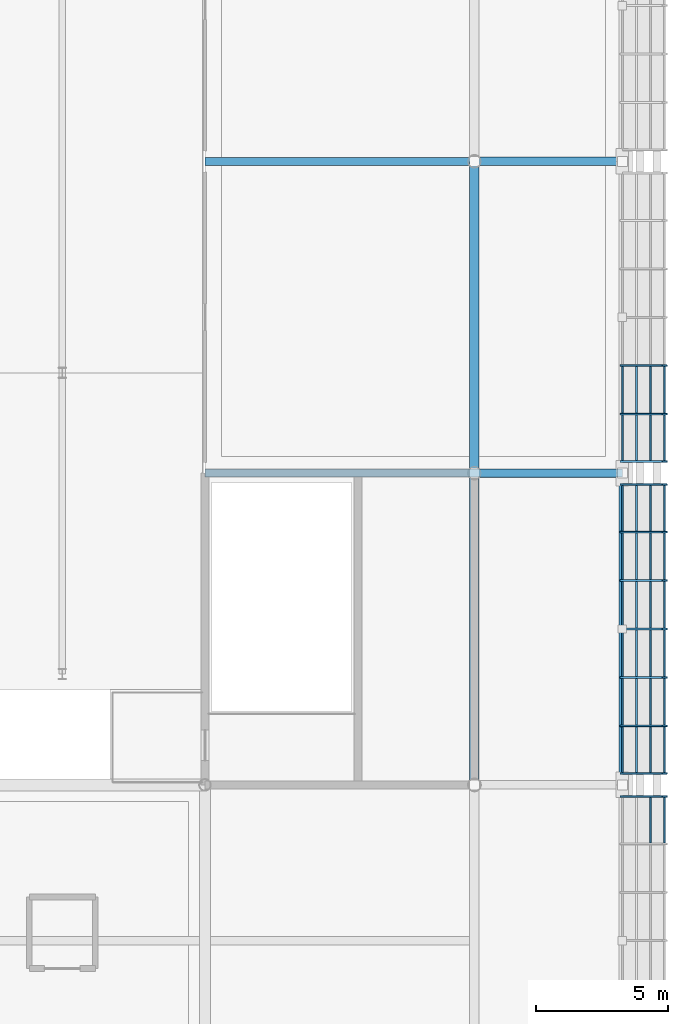
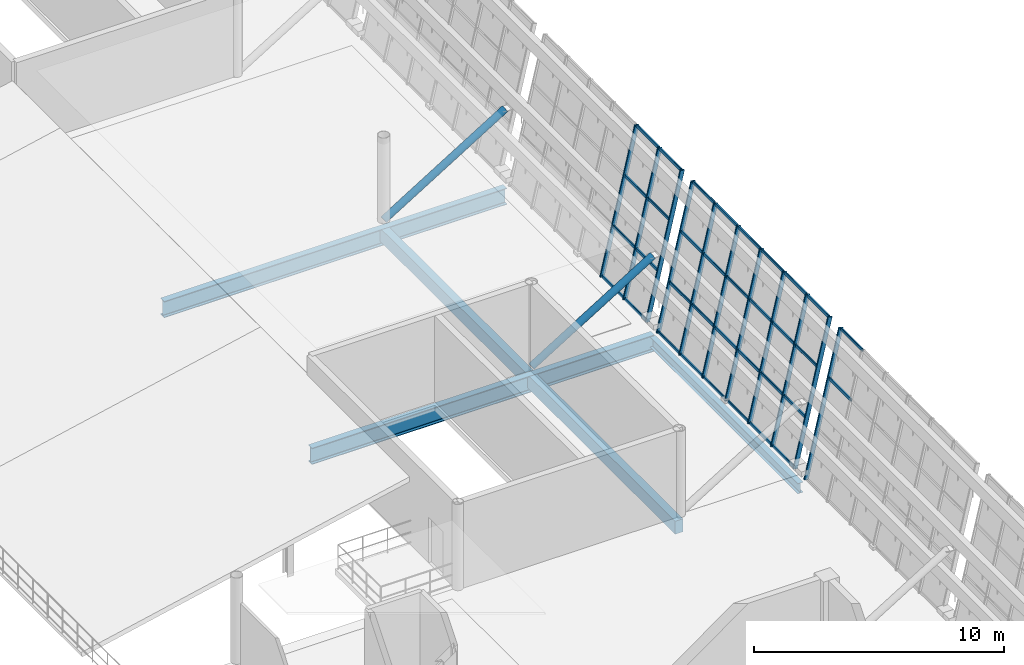
# One storey, part 67 of 157: 47 members, 5 beams, 3 elements without a shape of their own.
"""IFC4 building model written with IfcOpenShell, lengths in metres."""

import ifcopenshell
import ifcopenshell.guid

model = None  # the IFC model being written
_history = None  # IfcOwnerHistory: only IFC2X3 demands one
_inside = {}  # id of a spatial element -> (the spatial element, [elements in it])
_under = {}  # id of a project, library or spatial element -> (it, [spatial elements below it])
_declared = {}  # id of a project -> (the project, [libraries it declares])
_typed = {}  # id of a type object -> (the type object, [elements of that type])
_made_of = {}  # id of a material, layer set ... -> (it, [elements and type objects made of it])


def new_model(schema):
    """Start an empty IFC model of exactly this schema.

    Asked for "IFC4X3", IfcOpenShell would pick the latest addendum, in which some entities
    have other attributes; the version numbers below select the first issue.
    IFC2X3 requires an IfcOwnerHistory on every rooted entity: one is made here for all.
    """
    global model, _history
    if schema == "IFC4X3":
        model = ifcopenshell.file(schema_version=(4, 3, 0, 0))
    else:
        model = ifcopenshell.file(schema=schema)
    _inside.clear()
    _under.clear()
    _declared.clear()
    _typed.clear()
    _made_of.clear()
    _history = None
    if model.schema == "IFC2X3":
        org = make("IfcOrganization", Name="unknown")
        user = make(
            "IfcPersonAndOrganization",
            ThePerson=make("IfcPerson", FamilyName="unknown"),
            TheOrganization=org,
        )
        app = make(
            "IfcApplication",
            ApplicationDeveloper=org,
            Version="unknown",
            ApplicationFullName="unknown",
            ApplicationIdentifier="unknown",
        )
        _history = make(
            "IfcOwnerHistory",
            OwningUser=user,
            OwningApplication=app,
            ChangeAction="ADDED",
            CreationDate=0,
        )
    return model


def make(cls, **values):
    """One entity of the class cls with the attributes given. An attribute that is None is left unset."""
    return model.create_entity(
        cls, **{name: value for name, value in values.items() if value is not None}
    )


def rooted(cls, **values):
    """An entity with a GlobalId (a new one), such as an element, a storey or a relation."""
    return make(cls, GlobalId=ifcopenshell.guid.new(), OwnerHistory=_history, **values)


def si_unit(unit_type, name, prefix=None):
    """IfcSIUnit, for example si_unit("LENGTHUNIT", "METRE", prefix="MILLI")."""
    return make("IfcSIUnit", UnitType=unit_type, Prefix=prefix, Name=name)


def assignment(units):
    """IfcUnitAssignment: the units of a project."""
    return None if units is None else make("IfcUnitAssignment", Units=units)


def point(xyz):
    """IfcCartesianPoint."""
    return None if xyz is None else make("IfcCartesianPoint", Coordinates=xyz)


def direction(xyz):
    """IfcDirection."""
    return None if xyz is None else make("IfcDirection", DirectionRatios=xyz)


def frame(location, z_axis=None, x_axis=None):
    """IfcAxis2Placement3D, a coordinate frame: its origin and axes. An axis left out is left unset."""
    return make(
        "IfcAxis2Placement3D",
        Location=point(location),
        Axis=direction(z_axis),
        RefDirection=direction(x_axis),
    )


def frame_2d(location, x_axis=None):
    """IfcAxis2Placement2D, a coordinate frame in the plane: its origin and x axis."""
    return make(
        "IfcAxis2Placement2D", Location=point(location), RefDirection=direction(x_axis)
    )


def origin():
    """The frame at (0, 0, 0) with its axes left unset."""
    return frame((0.0, 0.0, 0.0))


def origin_2d():
    """The frame at (0, 0) in the plane with its x axis left unset."""
    return frame_2d((0.0, 0.0))


def place(relative_to, where):
    """IfcLocalPlacement: puts the frame where relative to a parent placement (None: the world)."""
    return make(
        "IfcLocalPlacement", PlacementRelTo=relative_to, RelativePlacement=where
    )


def context(
    kind, dimensions, precision=None, world=None, true_north=None, identifier=None
):
    """IfcGeometricRepresentationContext, for example the 3D "Model" context."""
    return make(
        "IfcGeometricRepresentationContext",
        ContextIdentifier=identifier,
        ContextType=kind,
        CoordinateSpaceDimension=dimensions,
        Precision=precision,
        WorldCoordinateSystem=world,
        TrueNorth=true_north,
    )


def subcontext(parent, identifier, kind, view, scale=None):
    """IfcGeometricRepresentationSubContext, for example "Body" below "Model"."""
    return make(
        "IfcGeometricRepresentationSubContext",
        ContextIdentifier=identifier,
        ContextType=kind,
        ParentContext=parent,
        TargetScale=scale,
        TargetView=view,
    )


def project(units=None, contexts=None):
    """IfcProject with its units and contexts."""
    return rooted(
        "IfcProject",
        Name="project",
        RepresentationContexts=contexts,
        UnitsInContext=assignment(units),
    )


def spatial(cls, under=None, at=None, **own):
    """A site, building, storey or space (cls), placed at a placement, below another one or the project."""
    s = rooted(cls, ObjectPlacement=at, **own)
    if under is not None:
        _under.setdefault(under.id(), (under, []))[1].append(s)
    return s


def profile(cls, at=None, kind="AREA", **sizes):
    """A parametric profile (cls). Its sizes go by their IFC names, for example OverallWidth=200.0."""
    return make(cls, ProfileType=kind, Position=at, **sizes)


def rectangle(**sizes):
    """IfcRectangleProfileDef."""
    return profile("IfcRectangleProfileDef", **sizes)


def hollow_rectangle(**sizes):
    """IfcRectangleHollowProfileDef."""
    return profile("IfcRectangleHollowProfileDef", **sizes)


def hollow_circle(**sizes):
    """IfcCircleHollowProfileDef."""
    return profile("IfcCircleHollowProfileDef", **sizes)


def i_section(**sizes):
    """IfcIShapeProfileDef."""
    return profile("IfcIShapeProfileDef", **sizes)


def extrude(swept, where, along, depth):
    """IfcExtrudedAreaSolid: the profile swept, set in the frame where, extruded along a direction by depth."""
    return make(
        "IfcExtrudedAreaSolid",
        SweptArea=swept,
        Position=where,
        ExtrudedDirection=direction(along),
        Depth=depth,
    )


def shape(context_of_items, identifier, shape_type, items):
    """IfcShapeRepresentation: the items that make up one representation, for example the "Body"."""
    return make(
        "IfcShapeRepresentation",
        ContextOfItems=context_of_items,
        RepresentationIdentifier=identifier,
        RepresentationType=shape_type,
        Items=items,
    )


def material(Name=None, Category=None):
    """IfcMaterial."""
    return make("IfcMaterial", Name=Name, Category=Category)


def material_profile(
    of_material, cross_section, Name=None, Category=None, Priority=None
):
    """IfcMaterialProfile: a cross section and its material."""
    return make(
        "IfcMaterialProfile",
        Name=Name,
        Material=of_material,
        Profile=cross_section,
        Priority=Priority,
        Category=Category,
    )


def profile_set(profiles, Name=None, composite=None):
    """IfcMaterialProfileSet."""
    return make(
        "IfcMaterialProfileSet",
        Name=Name,
        MaterialProfiles=profiles,
        CompositeProfile=composite,
    )


def made_of(thing, what):
    """Note that an element or type object is made of a material, layer set ...; save() writes the relation."""
    if what is not None:
        _made_of.setdefault(what.id(), (what, []))[1].append(thing)
    return thing


def type_object(cls, material=None, **own):
    """A type object (cls), such as IfcWallType, which elements share."""
    return made_of(rooted(cls, **own), material)


def element(
    cls,
    number,
    at=None,
    inside=None,
    cuts=None,
    type_object=None,
    material=None,
    context=None,
    identifier="Body",
    shape_type=None,
    held_by="IfcProductDefinitionShape",
    body=None,
    shapes=None,
    **own,
):
    """One element of the class cls, such as IfcWall. Its Tag is "e" and its number.

    at: its placement. inside: the storey or other place that contains it. cuts: it is an
    opening in that element (IfcRelVoidsElement). A single representation is given by context,
    identifier, shape_type and body (its items); several are given by shapes. held_by: the class
    of the entity that holds the representations. save() writes the other relations.
    """
    e = rooted(cls, Tag="e%d" % number, ObjectPlacement=at, **own)
    if body is not None:
        shapes = [shape(context, identifier, shape_type, body)]
    if shapes is not None:
        e.Representation = make(held_by, Representations=shapes)
    if inside is not None:
        _inside.setdefault(inside.id(), (inside, []))[1].append(e)
    if cuts is not None:
        rooted(
            "IfcRelVoidsElement", RelatingBuildingElement=cuts, RelatedOpeningElement=e
        )
    if type_object is not None:
        _typed.setdefault(type_object.id(), (type_object, []))[1].append(e)
    return made_of(e, material)


def aggregate(whole, parts):
    """IfcRelAggregates: a whole, such as a stair, and the parts it consists of."""
    return rooted("IfcRelAggregates", RelatingObject=whole, RelatedObjects=parts)


def save(model, path):
    """Write the relations noted so far, then the file.

    IfcRelAggregates (storeys below a building ...), IfcRelContainedInSpatialStructure (elements
    in a storey), IfcRelDefinesByType, IfcRelAssociatesMaterial and IfcRelDeclares: one each for
    every whole, place, type object, material and project.
    """
    for whole, parts in _under.values():
        aggregate(whole, parts)
    for where, things in _inside.values():
        rooted(
            "IfcRelContainedInSpatialStructure",
            RelatedElements=things,
            RelatingStructure=where,
        )
    for kind, things in _typed.values():
        rooted("IfcRelDefinesByType", RelatedObjects=things, RelatingType=kind)
    for what, things in _made_of.values():
        rooted("IfcRelAssociatesMaterial", RelatedObjects=things, RelatingMaterial=what)
    for by, libraries in _declared.values():
        rooted("IfcRelDeclares", RelatingContext=by, RelatedDefinitions=libraries)
    model.write(path)


model = new_model("IFC4")

# Units and contexts
model_context = context("Model", 3, precision=1e-05, world=origin(), true_north=direction((0.0, 1.0)))
body_context = subcontext(model_context, "Body", "Model", "MODEL_VIEW")
ifc_project = project(units=[si_unit("LENGTHUNIT", "METRE"), si_unit("AREAUNIT", "SQUARE_METRE"), si_unit("VOLUMEUNIT", "CUBIC_METRE"), si_unit("PLANEANGLEUNIT", "RADIAN"), si_unit("MASSUNIT", "GRAM", prefix="KILO")], contexts=[model_context])

# Site, building, storey
site_placement = place(None, origin())
site = spatial("IfcSite", under=ifc_project, at=site_placement, CompositionType="ELEMENT")
building_placement = place(site_placement, origin())
building = spatial("IfcBuilding", under=site, at=building_placement, Name="Brelvane Convention Centre", CompositionType="ELEMENT")
storey_placement = place(building_placement, frame((0.0, 0.0, 10.800048828125)))
storey = spatial("IfcBuildingStorey", under=building, at=storey_placement, Name="L02", CompositionType="ELEMENT", Elevation=10.800048828125)

# Curtain wall, member
ifc_material_1 = material(Name="Anodised Aluminium Alloy 6063-T6", Category="aluminium")
curtain_wall_type = type_object("IfcCurtainWallType", Name="Curtain Wall CW-PLEN-E", PredefinedType="USERDEFINED", material=ifc_material_1)
curtain_wall_1_placement = place(storey_placement, origin())
curtain_wall_1 = element("IfcCurtainWall", 1, at=curtain_wall_1_placement, inside=storey, type_object=curtain_wall_type, Name="Curtain Wall CW-PLEN-E L02-HULL-E-L02-2", ObjectType="UNITISED", PredefinedType="USERDEFINED")
ifc_material_2 = material(Name="Anodised Aluminium Alloy 6063-T6", Category="aluminium")
ifc_material_profile_1 = material_profile(ifc_material_2, hollow_rectangle(XDim=0.074951171875, YDim=0.199951171875, WallThickness=0.0048828125, InnerFilletRadius=0.0048828125, OuterFilletRadius=0.010009765625, at=origin_2d()), Name="ALU-M 200x75x5.0")
ifc_profile_set_1 = profile_set([ifc_material_profile_1], Name="Anodised Aluminium Alloy 6063-T6")
member_type_1 = type_object("IfcMemberType", Name="Curtain Mullion CW-M2", PredefinedType="MULLION", material=ifc_profile_set_1)
member_1_placement = place(storey_placement, frame((230.0, 40.16259765625, 0.0), z_axis=(0.228360410362, 0.0, 0.973576665178), x_axis=(0.0, 1.0, 0.0)))
member_1 = element("IfcMember", 2, at=member_1_placement, type_object=member_type_1, Name="CW-PLEN-E mullion 7", PredefinedType="MULLION", context=body_context, shape_type="SweptSolid", body=[
    extrude(hollow_rectangle(XDim=0.074951171875, YDim=0.199951171875, WallThickness=0.0048828125, InnerFilletRadius=0.0048828125, OuterFilletRadius=0.010009765625, at=origin_2d()), origin(), (0.0, 0.0, 1.0), 7.03564453125),
])

# Curtain wall, members
curtain_wall_2_placement = place(storey_placement, origin())
curtain_wall_2 = element("IfcCurtainWall", 3, at=curtain_wall_2_placement, inside=storey, type_object=curtain_wall_type, Name="Curtain Wall CW-PLEN-E L02-HULL-E-L02-3", ObjectType="UNITISED", PredefinedType="USERDEFINED")
member_2_placement = place(storey_placement, frame((230.0, 41.03759765625, 0.0), z_axis=(0.228360410362, 0.0, 0.973576665178), x_axis=(0.0, 1.0, 0.0)))
member_2 = element("IfcMember", 4, at=member_2_placement, type_object=member_type_1, Name="CW-PLEN-E mullion 1", PredefinedType="MULLION", context=body_context, shape_type="SweptSolid", body=[
    extrude(hollow_rectangle(XDim=0.074951171875, YDim=0.199951171875, WallThickness=0.0048828125, InnerFilletRadius=0.0048828125, OuterFilletRadius=0.010009765625, at=origin_2d()), origin(), (0.0, 0.0, 1.0), 7.03564453125),
])
member_3_placement = place(storey_placement, frame((230.0, 42.833251953125, 0.0), z_axis=(0.228360410362, 0.0, 0.973576665178), x_axis=(0.0, 1.0, 0.0)))
member_3 = element("IfcMember", 5, at=member_3_placement, type_object=member_type_1, Name="CW-PLEN-E mullion 2", PredefinedType="MULLION", context=body_context, shape_type="SweptSolid", body=[
    extrude(hollow_rectangle(XDim=0.074951171875, YDim=0.199951171875, WallThickness=0.0048828125, InnerFilletRadius=0.0048828125, OuterFilletRadius=0.010009765625, at=origin_2d()), origin(), (0.0, 0.0, 1.0), 7.03564453125),
])
member_4_placement = place(storey_placement, frame((230.0, 44.666748046875, 0.0), z_axis=(0.228360410362, 0.0, 0.973576665178), x_axis=(0.0, 1.0, 0.0)))
member_4 = element("IfcMember", 6, at=member_4_placement, type_object=member_type_1, Name="CW-PLEN-E mullion 3", PredefinedType="MULLION", context=body_context, shape_type="SweptSolid", body=[
    extrude(hollow_rectangle(XDim=0.074951171875, YDim=0.199951171875, WallThickness=0.0048828125, InnerFilletRadius=0.0048828125, OuterFilletRadius=0.010009765625, at=origin_2d()), origin(), (0.0, 0.0, 1.0), 7.03564453125),
])
member_5_placement = place(storey_placement, frame((230.0, 46.5, 0.0), z_axis=(0.228360410362, 0.0, 0.973576665178), x_axis=(0.0, 1.0, 0.0)))
member_5 = element("IfcMember", 7, at=member_5_placement, type_object=member_type_1, Name="CW-PLEN-E mullion 4", PredefinedType="MULLION", context=body_context, shape_type="SweptSolid", body=[
    extrude(hollow_rectangle(XDim=0.074951171875, YDim=0.199951171875, WallThickness=0.0048828125, InnerFilletRadius=0.0048828125, OuterFilletRadius=0.010009765625, at=origin_2d()), origin(), (0.0, 0.0, 1.0), 7.03564453125),
])
member_6_placement = place(storey_placement, frame((230.0, 48.333251953125, 0.0), z_axis=(0.228360410362, 0.0, 0.973576665178), x_axis=(0.0, 1.0, 0.0)))
member_6 = element("IfcMember", 8, at=member_6_placement, type_object=member_type_1, Name="CW-PLEN-E mullion 5", PredefinedType="MULLION", context=body_context, shape_type="SweptSolid", body=[
    extrude(hollow_rectangle(XDim=0.074951171875, YDim=0.199951171875, WallThickness=0.0048828125, InnerFilletRadius=0.0048828125, OuterFilletRadius=0.010009765625, at=origin_2d()), origin(), (0.0, 0.0, 1.0), 7.03564453125),
])
member_7_placement = place(storey_placement, frame((230.0, 50.166748046875, 0.0), z_axis=(0.228360410362, 0.0, 0.973576665178), x_axis=(0.0, 1.0, 0.0)))
member_7 = element("IfcMember", 9, at=member_7_placement, type_object=member_type_1, Name="CW-PLEN-E mullion 6", PredefinedType="MULLION", context=body_context, shape_type="SweptSolid", body=[
    extrude(hollow_rectangle(XDim=0.074951171875, YDim=0.199951171875, WallThickness=0.0048828125, InnerFilletRadius=0.0048828125, OuterFilletRadius=0.010009765625, at=origin_2d()), origin(), (0.0, 0.0, 1.0), 7.03564453125),
])
member_8_placement = place(storey_placement, frame((230.0, 51.96240234375, 0.0), z_axis=(0.228360410362, 0.0, 0.973576665178), x_axis=(0.0, 1.0, 0.0)))
member_8 = element("IfcMember", 10, at=member_8_placement, type_object=member_type_1, Name="CW-PLEN-E mullion 7", PredefinedType="MULLION", context=body_context, shape_type="SweptSolid", body=[
    extrude(hollow_rectangle(XDim=0.074951171875, YDim=0.199951171875, WallThickness=0.0048828125, InnerFilletRadius=0.0048828125, OuterFilletRadius=0.010009765625, at=origin_2d()), origin(), (0.0, 0.0, 1.0), 7.03564453125),
])

curtain_wall_3_placement = place(storey_placement, origin())
curtain_wall_3 = element("IfcCurtainWall", 11, at=curtain_wall_3_placement, inside=storey, type_object=curtain_wall_type, Name="Curtain Wall CW-PLEN-E L02-HULL-E-L02-4", ObjectType="UNITISED", PredefinedType="USERDEFINED")
member_9_placement = place(storey_placement, frame((230.0, 52.83740234375, 0.0), z_axis=(0.228360410362, 0.0, 0.973576665178), x_axis=(0.0, 1.0, 0.0)))
member_9 = element("IfcMember", 12, at=member_9_placement, type_object=member_type_1, Name="CW-PLEN-E mullion 1", PredefinedType="MULLION", context=body_context, shape_type="SweptSolid", body=[
    extrude(hollow_rectangle(XDim=0.074951171875, YDim=0.199951171875, WallThickness=0.0048828125, InnerFilletRadius=0.0048828125, OuterFilletRadius=0.010009765625, at=origin_2d()), origin(), (0.0, 0.0, 1.0), 7.03564453125),
])
member_10_placement = place(storey_placement, frame((230.0, 54.63330078125, 0.0), z_axis=(0.228360410362, 0.0, 0.973576665178), x_axis=(0.0, 1.0, 0.0)))
member_10 = element("IfcMember", 13, at=member_10_placement, type_object=member_type_1, Name="CW-PLEN-E mullion 2", PredefinedType="MULLION", context=body_context, shape_type="SweptSolid", body=[
    extrude(hollow_rectangle(XDim=0.074951171875, YDim=0.199951171875, WallThickness=0.0048828125, InnerFilletRadius=0.0048828125, OuterFilletRadius=0.010009765625, at=origin_2d()), origin(), (0.0, 0.0, 1.0), 7.03564453125),
])
member_11_placement = place(storey_placement, frame((230.0, 56.466552734375, 0.0), z_axis=(0.228360410362, 0.0, 0.973576665178), x_axis=(0.0, 1.0, 0.0)))
member_11 = element("IfcMember", 14, at=member_11_placement, type_object=member_type_1, Name="CW-PLEN-E mullion 3", PredefinedType="MULLION", context=body_context, shape_type="SweptSolid", body=[
    extrude(hollow_rectangle(XDim=0.074951171875, YDim=0.199951171875, WallThickness=0.0048828125, InnerFilletRadius=0.0048828125, OuterFilletRadius=0.010009765625, at=origin_2d()), origin(), (0.0, 0.0, 1.0), 7.03564453125),
])

# Member
ifc_material_3 = material(Name="Anodised Aluminium Alloy 6063-T6", Category="aluminium")
ifc_material_profile_2 = material_profile(ifc_material_3, hollow_rectangle(XDim=0.070068359375, YDim=0.14990234375, WallThickness=0.00439453125, InnerFilletRadius=0.00439453125, OuterFilletRadius=0.009033203125, at=origin_2d()), Name="ALU-T 150x70x4.5")
ifc_profile_set_2 = profile_set([ifc_material_profile_2], Name="Anodised Aluminium Alloy 6063-T6")
member_type_2 = type_object("IfcMemberType", Name="Curtain Transom CW-T2", PredefinedType="USERDEFINED", material=ifc_profile_set_2)
member_12_placement = place(storey_placement, frame((231.071044921875, 38.404052734375, 4.566650390625), z_axis=(0.0, 1.0, 0.0), x_axis=(-1.0, 0.0, 0.0)))
member_12 = element("IfcMember", 15, at=member_12_placement, type_object=member_type_2, Name="CW-PLEN-E transom 6.3", ObjectType="TRANSOM", PredefinedType="USERDEFINED", context=body_context, shape_type="SweptSolid", body=[
    extrude(hollow_rectangle(XDim=0.070068359375, YDim=0.14990234375, WallThickness=0.00439453125, InnerFilletRadius=0.00439453125, OuterFilletRadius=0.009033203125, at=origin_2d()), origin(), (0.0, 0.0, 1.0), 1.720947265625),
])

member_13_placement = place(storey_placement, frame((231.598388671875, 38.404052734375, 6.81494140625), z_axis=(0.0, 1.0, 0.0), x_axis=(-1.0, 0.0, 0.0)))
member_13 = element("IfcMember", 16, at=member_13_placement, type_object=member_type_2, Name="CW-PLEN-E transom 6.4", ObjectType="TRANSOM", PredefinedType="USERDEFINED", context=body_context, shape_type="SweptSolid", body=[
    extrude(hollow_rectangle(XDim=0.070068359375, YDim=0.14990234375, WallThickness=0.00439453125, InnerFilletRadius=0.00439453125, OuterFilletRadius=0.009033203125, at=origin_2d()), origin(), (0.0, 0.0, 1.0), 1.720947265625),
])

aggregate(curtain_wall_1, [member_1, member_12, member_13])

member_14_placement = place(storey_placement, frame((230.00830078125, 41.074951171875, 0.034912109375), z_axis=(0.0, 1.0, 0.0), x_axis=(-1.0, 0.0, 0.0)))
member_14 = element("IfcMember", 17, at=member_14_placement, type_object=member_type_2, Name="CW-PLEN-E transom 1.1", ObjectType="TRANSOM", PredefinedType="USERDEFINED", context=body_context, shape_type="SweptSolid", body=[
    extrude(hollow_rectangle(XDim=0.070068359375, YDim=0.14990234375, WallThickness=0.00439453125, InnerFilletRadius=0.00439453125, OuterFilletRadius=0.009033203125, at=origin_2d()), origin(), (0.0, 0.0, 1.0), 1.720947265625),
])

member_15_placement = place(storey_placement, frame((230.53564453125, 41.074951171875, 2.283203125), z_axis=(0.0, 1.0, 0.0), x_axis=(-1.0, 0.0, 0.0)))
member_15 = element("IfcMember", 18, at=member_15_placement, type_object=member_type_2, Name="CW-PLEN-E transom 1.2", ObjectType="TRANSOM", PredefinedType="USERDEFINED", context=body_context, shape_type="SweptSolid", body=[
    extrude(hollow_rectangle(XDim=0.070068359375, YDim=0.14990234375, WallThickness=0.00439453125, InnerFilletRadius=0.00439453125, OuterFilletRadius=0.009033203125, at=origin_2d()), origin(), (0.0, 0.0, 1.0), 1.720947265625),
])

member_16_placement = place(storey_placement, frame((231.071044921875, 41.074951171875, 4.566650390625), z_axis=(0.0, 1.0, 0.0), x_axis=(-1.0, 0.0, 0.0)))
member_16 = element("IfcMember", 19, at=member_16_placement, type_object=member_type_2, Name="CW-PLEN-E transom 1.3", ObjectType="TRANSOM", PredefinedType="USERDEFINED", context=body_context, shape_type="SweptSolid", body=[
    extrude(hollow_rectangle(XDim=0.070068359375, YDim=0.14990234375, WallThickness=0.00439453125, InnerFilletRadius=0.00439453125, OuterFilletRadius=0.009033203125, at=origin_2d()), origin(), (0.0, 0.0, 1.0), 1.720947265625),
])

member_17_placement = place(storey_placement, frame((231.598388671875, 41.074951171875, 6.81494140625), z_axis=(0.0, 1.0, 0.0), x_axis=(-1.0, 0.0, 0.0)))
member_17 = element("IfcMember", 20, at=member_17_placement, type_object=member_type_2, Name="CW-PLEN-E transom 1.4", ObjectType="TRANSOM", PredefinedType="USERDEFINED", context=body_context, shape_type="SweptSolid", body=[
    extrude(hollow_rectangle(XDim=0.070068359375, YDim=0.14990234375, WallThickness=0.00439453125, InnerFilletRadius=0.00439453125, OuterFilletRadius=0.009033203125, at=origin_2d()), origin(), (0.0, 0.0, 1.0), 1.720947265625),
])

member_18_placement = place(storey_placement, frame((230.00830078125, 42.870849609375, 0.034912109375), z_axis=(0.0, 1.0, 0.0), x_axis=(-1.0, 0.0, 0.0)))
member_18 = element("IfcMember", 21, at=member_18_placement, type_object=member_type_2, Name="CW-PLEN-E transom 2.1", ObjectType="TRANSOM", PredefinedType="USERDEFINED", context=body_context, shape_type="SweptSolid", body=[
    extrude(hollow_rectangle(XDim=0.070068359375, YDim=0.14990234375, WallThickness=0.00439453125, InnerFilletRadius=0.00439453125, OuterFilletRadius=0.009033203125, at=origin_2d()), origin(), (0.0, 0.0, 1.0), 1.75830078125),
])

member_19_placement = place(storey_placement, frame((230.53564453125, 42.870849609375, 2.283203125), z_axis=(0.0, 1.0, 0.0), x_axis=(-1.0, 0.0, 0.0)))
member_19 = element("IfcMember", 22, at=member_19_placement, type_object=member_type_2, Name="CW-PLEN-E transom 2.2", ObjectType="TRANSOM", PredefinedType="USERDEFINED", context=body_context, shape_type="SweptSolid", body=[
    extrude(hollow_rectangle(XDim=0.070068359375, YDim=0.14990234375, WallThickness=0.00439453125, InnerFilletRadius=0.00439453125, OuterFilletRadius=0.009033203125, at=origin_2d()), origin(), (0.0, 0.0, 1.0), 1.75830078125),
])

member_20_placement = place(storey_placement, frame((231.071044921875, 42.870849609375, 4.566650390625), z_axis=(0.0, 1.0, 0.0), x_axis=(-1.0, 0.0, 0.0)))
member_20 = element("IfcMember", 23, at=member_20_placement, type_object=member_type_2, Name="CW-PLEN-E transom 2.3", ObjectType="TRANSOM", PredefinedType="USERDEFINED", context=body_context, shape_type="SweptSolid", body=[
    extrude(hollow_rectangle(XDim=0.070068359375, YDim=0.14990234375, WallThickness=0.00439453125, InnerFilletRadius=0.00439453125, OuterFilletRadius=0.009033203125, at=origin_2d()), origin(), (0.0, 0.0, 1.0), 1.75830078125),
])

member_21_placement = place(storey_placement, frame((231.598388671875, 42.870849609375, 6.81494140625), z_axis=(0.0, 1.0, 0.0), x_axis=(-1.0, 0.0, 0.0)))
member_21 = element("IfcMember", 24, at=member_21_placement, type_object=member_type_2, Name="CW-PLEN-E transom 2.4", ObjectType="TRANSOM", PredefinedType="USERDEFINED", context=body_context, shape_type="SweptSolid", body=[
    extrude(hollow_rectangle(XDim=0.070068359375, YDim=0.14990234375, WallThickness=0.00439453125, InnerFilletRadius=0.00439453125, OuterFilletRadius=0.009033203125, at=origin_2d()), origin(), (0.0, 0.0, 1.0), 1.75830078125),
])

member_22_placement = place(storey_placement, frame((230.00830078125, 44.7041015625, 0.034912109375), z_axis=(0.0, 1.0, 0.0), x_axis=(-1.0, 0.0, 0.0)))
member_22 = element("IfcMember", 25, at=member_22_placement, type_object=member_type_2, Name="CW-PLEN-E transom 3.1", ObjectType="TRANSOM", PredefinedType="USERDEFINED", context=body_context, shape_type="SweptSolid", body=[
    extrude(hollow_rectangle(XDim=0.070068359375, YDim=0.14990234375, WallThickness=0.00439453125, InnerFilletRadius=0.00439453125, OuterFilletRadius=0.009033203125, at=origin_2d()), origin(), (0.0, 0.0, 1.0), 1.75830078125),
])

member_23_placement = place(storey_placement, frame((230.53564453125, 44.7041015625, 2.283203125), z_axis=(0.0, 1.0, 0.0), x_axis=(-1.0, 0.0, 0.0)))
member_23 = element("IfcMember", 26, at=member_23_placement, type_object=member_type_2, Name="CW-PLEN-E transom 3.2", ObjectType="TRANSOM", PredefinedType="USERDEFINED", context=body_context, shape_type="SweptSolid", body=[
    extrude(hollow_rectangle(XDim=0.070068359375, YDim=0.14990234375, WallThickness=0.00439453125, InnerFilletRadius=0.00439453125, OuterFilletRadius=0.009033203125, at=origin_2d()), origin(), (0.0, 0.0, 1.0), 1.75830078125),
])

member_24_placement = place(storey_placement, frame((231.071044921875, 44.7041015625, 4.566650390625), z_axis=(0.0, 1.0, 0.0), x_axis=(-1.0, 0.0, 0.0)))
member_24 = element("IfcMember", 27, at=member_24_placement, type_object=member_type_2, Name="CW-PLEN-E transom 3.3", ObjectType="TRANSOM", PredefinedType="USERDEFINED", context=body_context, shape_type="SweptSolid", body=[
    extrude(hollow_rectangle(XDim=0.070068359375, YDim=0.14990234375, WallThickness=0.00439453125, InnerFilletRadius=0.00439453125, OuterFilletRadius=0.009033203125, at=origin_2d()), origin(), (0.0, 0.0, 1.0), 1.75830078125),
])

member_25_placement = place(storey_placement, frame((231.598388671875, 44.7041015625, 6.81494140625), z_axis=(0.0, 1.0, 0.0), x_axis=(-1.0, 0.0, 0.0)))
member_25 = element("IfcMember", 28, at=member_25_placement, type_object=member_type_2, Name="CW-PLEN-E transom 3.4", ObjectType="TRANSOM", PredefinedType="USERDEFINED", context=body_context, shape_type="SweptSolid", body=[
    extrude(hollow_rectangle(XDim=0.070068359375, YDim=0.14990234375, WallThickness=0.00439453125, InnerFilletRadius=0.00439453125, OuterFilletRadius=0.009033203125, at=origin_2d()), origin(), (0.0, 0.0, 1.0), 1.75830078125),
])

member_26_placement = place(storey_placement, frame((230.00830078125, 46.53759765625, 0.034912109375), z_axis=(0.0, 1.0, 0.0), x_axis=(-1.0, 0.0, 0.0)))
member_26 = element("IfcMember", 29, at=member_26_placement, type_object=member_type_2, Name="CW-PLEN-E transom 4.1", ObjectType="TRANSOM", PredefinedType="USERDEFINED", context=body_context, shape_type="SweptSolid", body=[
    extrude(hollow_rectangle(XDim=0.070068359375, YDim=0.14990234375, WallThickness=0.00439453125, InnerFilletRadius=0.00439453125, OuterFilletRadius=0.009033203125, at=origin_2d()), origin(), (0.0, 0.0, 1.0), 1.75830078125),
])

member_27_placement = place(storey_placement, frame((230.53564453125, 46.53759765625, 2.283203125), z_axis=(0.0, 1.0, 0.0), x_axis=(-1.0, 0.0, 0.0)))
member_27 = element("IfcMember", 30, at=member_27_placement, type_object=member_type_2, Name="CW-PLEN-E transom 4.2", ObjectType="TRANSOM", PredefinedType="USERDEFINED", context=body_context, shape_type="SweptSolid", body=[
    extrude(hollow_rectangle(XDim=0.070068359375, YDim=0.14990234375, WallThickness=0.00439453125, InnerFilletRadius=0.00439453125, OuterFilletRadius=0.009033203125, at=origin_2d()), origin(), (0.0, 0.0, 1.0), 1.75830078125),
])

member_28_placement = place(storey_placement, frame((231.071044921875, 46.53759765625, 4.566650390625), z_axis=(0.0, 1.0, 0.0), x_axis=(-1.0, 0.0, 0.0)))
member_28 = element("IfcMember", 31, at=member_28_placement, type_object=member_type_2, Name="CW-PLEN-E transom 4.3", ObjectType="TRANSOM", PredefinedType="USERDEFINED", context=body_context, shape_type="SweptSolid", body=[
    extrude(hollow_rectangle(XDim=0.070068359375, YDim=0.14990234375, WallThickness=0.00439453125, InnerFilletRadius=0.00439453125, OuterFilletRadius=0.009033203125, at=origin_2d()), origin(), (0.0, 0.0, 1.0), 1.75830078125),
])

member_29_placement = place(storey_placement, frame((231.598388671875, 46.53759765625, 6.81494140625), z_axis=(0.0, 1.0, 0.0), x_axis=(-1.0, 0.0, 0.0)))
member_29 = element("IfcMember", 32, at=member_29_placement, type_object=member_type_2, Name="CW-PLEN-E transom 4.4", ObjectType="TRANSOM", PredefinedType="USERDEFINED", context=body_context, shape_type="SweptSolid", body=[
    extrude(hollow_rectangle(XDim=0.070068359375, YDim=0.14990234375, WallThickness=0.00439453125, InnerFilletRadius=0.00439453125, OuterFilletRadius=0.009033203125, at=origin_2d()), origin(), (0.0, 0.0, 1.0), 1.75830078125),
])

member_30_placement = place(storey_placement, frame((230.00830078125, 48.370849609375, 0.034912109375), z_axis=(0.0, 1.0, 0.0), x_axis=(-1.0, 0.0, 0.0)))
member_30 = element("IfcMember", 33, at=member_30_placement, type_object=member_type_2, Name="CW-PLEN-E transom 5.1", ObjectType="TRANSOM", PredefinedType="USERDEFINED", context=body_context, shape_type="SweptSolid", body=[
    extrude(hollow_rectangle(XDim=0.070068359375, YDim=0.14990234375, WallThickness=0.00439453125, InnerFilletRadius=0.00439453125, OuterFilletRadius=0.009033203125, at=origin_2d()), origin(), (0.0, 0.0, 1.0), 1.75830078125),
])

member_31_placement = place(storey_placement, frame((230.53564453125, 48.370849609375, 2.283203125), z_axis=(0.0, 1.0, 0.0), x_axis=(-1.0, 0.0, 0.0)))
member_31 = element("IfcMember", 34, at=member_31_placement, type_object=member_type_2, Name="CW-PLEN-E transom 5.2", ObjectType="TRANSOM", PredefinedType="USERDEFINED", context=body_context, shape_type="SweptSolid", body=[
    extrude(hollow_rectangle(XDim=0.070068359375, YDim=0.14990234375, WallThickness=0.00439453125, InnerFilletRadius=0.00439453125, OuterFilletRadius=0.009033203125, at=origin_2d()), origin(), (0.0, 0.0, 1.0), 1.75830078125),
])

member_32_placement = place(storey_placement, frame((231.071044921875, 48.370849609375, 4.566650390625), z_axis=(0.0, 1.0, 0.0), x_axis=(-1.0, 0.0, 0.0)))
member_32 = element("IfcMember", 35, at=member_32_placement, type_object=member_type_2, Name="CW-PLEN-E transom 5.3", ObjectType="TRANSOM", PredefinedType="USERDEFINED", context=body_context, shape_type="SweptSolid", body=[
    extrude(hollow_rectangle(XDim=0.070068359375, YDim=0.14990234375, WallThickness=0.00439453125, InnerFilletRadius=0.00439453125, OuterFilletRadius=0.009033203125, at=origin_2d()), origin(), (0.0, 0.0, 1.0), 1.75830078125),
])

member_33_placement = place(storey_placement, frame((231.598388671875, 48.370849609375, 6.81494140625), z_axis=(0.0, 1.0, 0.0), x_axis=(-1.0, 0.0, 0.0)))
member_33 = element("IfcMember", 36, at=member_33_placement, type_object=member_type_2, Name="CW-PLEN-E transom 5.4", ObjectType="TRANSOM", PredefinedType="USERDEFINED", context=body_context, shape_type="SweptSolid", body=[
    extrude(hollow_rectangle(XDim=0.070068359375, YDim=0.14990234375, WallThickness=0.00439453125, InnerFilletRadius=0.00439453125, OuterFilletRadius=0.009033203125, at=origin_2d()), origin(), (0.0, 0.0, 1.0), 1.75830078125),
])

member_34_placement = place(storey_placement, frame((230.00830078125, 50.2041015625, 0.034912109375), z_axis=(0.0, 1.0, 0.0), x_axis=(-1.0, 0.0, 0.0)))
member_34 = element("IfcMember", 37, at=member_34_placement, type_object=member_type_2, Name="CW-PLEN-E transom 6.1", ObjectType="TRANSOM", PredefinedType="USERDEFINED", context=body_context, shape_type="SweptSolid", body=[
    extrude(hollow_rectangle(XDim=0.070068359375, YDim=0.14990234375, WallThickness=0.00439453125, InnerFilletRadius=0.00439453125, OuterFilletRadius=0.009033203125, at=origin_2d()), origin(), (0.0, 0.0, 1.0), 1.720947265625),
])

member_35_placement = place(storey_placement, frame((230.53564453125, 50.2041015625, 2.283203125), z_axis=(0.0, 1.0, 0.0), x_axis=(-1.0, 0.0, 0.0)))
member_35 = element("IfcMember", 38, at=member_35_placement, type_object=member_type_2, Name="CW-PLEN-E transom 6.2", ObjectType="TRANSOM", PredefinedType="USERDEFINED", context=body_context, shape_type="SweptSolid", body=[
    extrude(hollow_rectangle(XDim=0.070068359375, YDim=0.14990234375, WallThickness=0.00439453125, InnerFilletRadius=0.00439453125, OuterFilletRadius=0.009033203125, at=origin_2d()), origin(), (0.0, 0.0, 1.0), 1.720947265625),
])

member_36_placement = place(storey_placement, frame((231.071044921875, 50.2041015625, 4.566650390625), z_axis=(0.0, 1.0, 0.0), x_axis=(-1.0, 0.0, 0.0)))
member_36 = element("IfcMember", 39, at=member_36_placement, type_object=member_type_2, Name="CW-PLEN-E transom 6.3", ObjectType="TRANSOM", PredefinedType="USERDEFINED", context=body_context, shape_type="SweptSolid", body=[
    extrude(hollow_rectangle(XDim=0.070068359375, YDim=0.14990234375, WallThickness=0.00439453125, InnerFilletRadius=0.00439453125, OuterFilletRadius=0.009033203125, at=origin_2d()), origin(), (0.0, 0.0, 1.0), 1.720947265625),
])

member_37_placement = place(storey_placement, frame((231.598388671875, 50.2041015625, 6.81494140625), z_axis=(0.0, 1.0, 0.0), x_axis=(-1.0, 0.0, 0.0)))
member_37 = element("IfcMember", 40, at=member_37_placement, type_object=member_type_2, Name="CW-PLEN-E transom 6.4", ObjectType="TRANSOM", PredefinedType="USERDEFINED", context=body_context, shape_type="SweptSolid", body=[
    extrude(hollow_rectangle(XDim=0.070068359375, YDim=0.14990234375, WallThickness=0.00439453125, InnerFilletRadius=0.00439453125, OuterFilletRadius=0.009033203125, at=origin_2d()), origin(), (0.0, 0.0, 1.0), 1.720947265625),
])

aggregate(curtain_wall_2, [member_2, member_3, member_4, member_5, member_6, member_7, member_8, member_14, member_15, member_16, member_17, member_18, member_19, member_20, member_21, member_22, member_23, member_24, member_25, member_26, member_27, member_28, member_29, member_30, member_31, member_32, member_33, member_34, member_35, member_36, member_37])

member_38_placement = place(storey_placement, frame((230.00830078125, 52.875, 0.034912109375), z_axis=(0.0, 1.0, 0.0), x_axis=(-1.0, 0.0, 0.0)))
member_38 = element("IfcMember", 41, at=member_38_placement, type_object=member_type_2, Name="CW-PLEN-E transom 1.1", ObjectType="TRANSOM", PredefinedType="USERDEFINED", context=body_context, shape_type="SweptSolid", body=[
    extrude(hollow_rectangle(XDim=0.070068359375, YDim=0.14990234375, WallThickness=0.00439453125, InnerFilletRadius=0.00439453125, OuterFilletRadius=0.009033203125, at=origin_2d()), origin(), (0.0, 0.0, 1.0), 1.720947265625),
])

member_39_placement = place(storey_placement, frame((230.53564453125, 52.875, 2.283203125), z_axis=(0.0, 1.0, 0.0), x_axis=(-1.0, 0.0, 0.0)))
member_39 = element("IfcMember", 42, at=member_39_placement, type_object=member_type_2, Name="CW-PLEN-E transom 1.2", ObjectType="TRANSOM", PredefinedType="USERDEFINED", context=body_context, shape_type="SweptSolid", body=[
    extrude(hollow_rectangle(XDim=0.070068359375, YDim=0.14990234375, WallThickness=0.00439453125, InnerFilletRadius=0.00439453125, OuterFilletRadius=0.009033203125, at=origin_2d()), origin(), (0.0, 0.0, 1.0), 1.720947265625),
])

member_40_placement = place(storey_placement, frame((231.071044921875, 52.875, 4.566650390625), z_axis=(0.0, 1.0, 0.0), x_axis=(-1.0, 0.0, 0.0)))
member_40 = element("IfcMember", 43, at=member_40_placement, type_object=member_type_2, Name="CW-PLEN-E transom 1.3", ObjectType="TRANSOM", PredefinedType="USERDEFINED", context=body_context, shape_type="SweptSolid", body=[
    extrude(hollow_rectangle(XDim=0.070068359375, YDim=0.14990234375, WallThickness=0.00439453125, InnerFilletRadius=0.00439453125, OuterFilletRadius=0.009033203125, at=origin_2d()), origin(), (0.0, 0.0, 1.0), 1.720947265625),
])

member_41_placement = place(storey_placement, frame((231.598388671875, 52.875, 6.81494140625), z_axis=(0.0, 1.0, 0.0), x_axis=(-1.0, 0.0, 0.0)))
member_41 = element("IfcMember", 44, at=member_41_placement, type_object=member_type_2, Name="CW-PLEN-E transom 1.4", ObjectType="TRANSOM", PredefinedType="USERDEFINED", context=body_context, shape_type="SweptSolid", body=[
    extrude(hollow_rectangle(XDim=0.070068359375, YDim=0.14990234375, WallThickness=0.00439453125, InnerFilletRadius=0.00439453125, OuterFilletRadius=0.009033203125, at=origin_2d()), origin(), (0.0, 0.0, 1.0), 1.720947265625),
])

member_42_placement = place(storey_placement, frame((230.00830078125, 54.6708984375, 0.034912109375), z_axis=(0.0, 1.0, 0.0), x_axis=(-1.0, 0.0, 0.0)))
member_42 = element("IfcMember", 45, at=member_42_placement, type_object=member_type_2, Name="CW-PLEN-E transom 2.1", ObjectType="TRANSOM", PredefinedType="USERDEFINED", context=body_context, shape_type="SweptSolid", body=[
    extrude(hollow_rectangle(XDim=0.070068359375, YDim=0.14990234375, WallThickness=0.00439453125, InnerFilletRadius=0.00439453125, OuterFilletRadius=0.009033203125, at=origin_2d()), origin(), (0.0, 0.0, 1.0), 1.75830078125),
])

member_43_placement = place(storey_placement, frame((230.53564453125, 54.6708984375, 2.283203125), z_axis=(0.0, 1.0, 0.0), x_axis=(-1.0, 0.0, 0.0)))
member_43 = element("IfcMember", 46, at=member_43_placement, type_object=member_type_2, Name="CW-PLEN-E transom 2.2", ObjectType="TRANSOM", PredefinedType="USERDEFINED", context=body_context, shape_type="SweptSolid", body=[
    extrude(hollow_rectangle(XDim=0.070068359375, YDim=0.14990234375, WallThickness=0.00439453125, InnerFilletRadius=0.00439453125, OuterFilletRadius=0.009033203125, at=origin_2d()), origin(), (0.0, 0.0, 1.0), 1.75830078125),
])

member_44_placement = place(storey_placement, frame((231.071044921875, 54.6708984375, 4.566650390625), z_axis=(0.0, 1.0, 0.0), x_axis=(-1.0, 0.0, 0.0)))
member_44 = element("IfcMember", 47, at=member_44_placement, type_object=member_type_2, Name="CW-PLEN-E transom 2.3", ObjectType="TRANSOM", PredefinedType="USERDEFINED", context=body_context, shape_type="SweptSolid", body=[
    extrude(hollow_rectangle(XDim=0.070068359375, YDim=0.14990234375, WallThickness=0.00439453125, InnerFilletRadius=0.00439453125, OuterFilletRadius=0.009033203125, at=origin_2d()), origin(), (0.0, 0.0, 1.0), 1.75830078125),
])

member_45_placement = place(storey_placement, frame((231.598388671875, 54.6708984375, 6.81494140625), z_axis=(0.0, 1.0, 0.0), x_axis=(-1.0, 0.0, 0.0)))
member_45 = element("IfcMember", 48, at=member_45_placement, type_object=member_type_2, Name="CW-PLEN-E transom 2.4", ObjectType="TRANSOM", PredefinedType="USERDEFINED", context=body_context, shape_type="SweptSolid", body=[
    extrude(hollow_rectangle(XDim=0.070068359375, YDim=0.14990234375, WallThickness=0.00439453125, InnerFilletRadius=0.00439453125, OuterFilletRadius=0.009033203125, at=origin_2d()), origin(), (0.0, 0.0, 1.0), 1.75830078125),
])

aggregate(curtain_wall_3, [member_9, member_10, member_11, member_38, member_39, member_40, member_41, member_42, member_43, member_44, member_45])

# Beams
ifc_material_4 = material(Name="Concrete M40", Category="concrete")
ifc_material_profile_3 = material_profile(ifc_material_4, rectangle(XDim=0.360107421875, YDim=0.639892578125, at=origin_2d()), Name="RC 360x640")
ifc_profile_set_3 = profile_set([ifc_material_profile_3], Name="Concrete M40")
beam_type_1 = type_object("IfcBeamType", Name="RC Spandrel SP-RC3 (RC 360x640)", PredefinedType="SPANDREL", material=ifc_profile_set_3)
beam_1_placement = place(storey_placement, frame((224.39990234375, 40.60009765625, -0.60009765625), z_axis=(0.0, 1.0, 0.0), x_axis=(-1.0, 0.0, 0.0)))
element("IfcBeam", 49, at=beam_1_placement, inside=storey, type_object=beam_type_1, Name="L02 Girder 23/E-F", PredefinedType="SPANDREL", context=body_context, shape_type="SweptSolid", body=[
    extrude(rectangle(XDim=0.360107421875, YDim=0.639892578125, at=origin_2d()), origin(), (0.0, 0.0, 1.0), 11.7998046875),
])
beam_2_placement = place(storey_placement, frame((224.39990234375, 52.39990234375, -0.60009765625), z_axis=(0.0, 1.0, 0.0), x_axis=(-1.0, 0.0, 0.0)))
element("IfcBeam", 50, at=beam_2_placement, inside=storey, type_object=beam_type_1, Name="L02 Girder 23/F-G", PredefinedType="SPANDREL", context=body_context, shape_type="SweptSolid", body=[
    extrude(rectangle(XDim=0.360107421875, YDim=0.639892578125, at=origin_2d()), origin(), (0.0, 0.0, 1.0), 11.800048828125),
])
ifc_material_5 = material(Name="Steel E450 (450 MPa)", Category="steel")
ifc_material_profile_4 = material_profile(ifc_material_5, i_section(OverallWidth=0.300048828125, OverallDepth=0.800048828125, WebThickness=0.015380859375, FlangeThickness=0.030029296875, FilletRadius=0.027099609375, at=origin_2d()), Name="NPB 800x300")
ifc_profile_set_4 = profile_set([ifc_material_profile_4], Name="Steel E450 (450 MPa)")
beam_type_2 = type_object("IfcBeamType", Name="Steel Beam B-ST2 (NPB 800x300)", PredefinedType="BEAM", material=ifc_profile_set_4)
for number, where, z_axis, x_axis, name in (
    (51, (214.199951171875, 52.39990234375, -0.679931640625), (1.0, 0.0, 0.0), (0.0, 1.0, 0.0), "L02 Plenary East Cantilever Girder Y52"),
    (52, (214.199951171875, 64.199951171875, -0.679931640625), (1.0, 0.0, 0.0), (0.0, 1.0, 0.0), "L02 Plenary East Cantilever Girder Y64"),
):
    element("IfcBeam", number, at=place(storey_placement, frame(where, z_axis=z_axis, x_axis=x_axis)), inside=storey, type_object=beam_type_2, Name=name, PredefinedType="BEAM", context=body_context, shape_type="SweptSolid", body=[
        extrude(i_section(OverallWidth=0.300048828125, OverallDepth=0.800048828125, WebThickness=0.015380859375, FlangeThickness=0.030029296875, FilletRadius=0.027099609375, at=origin_2d()), origin(), (0.0, 0.0, 1.0), 15.800048828125),
    ])
ifc_material_6 = material(Name="Steel E350 (350 MPa)", Category="steel")
ifc_material_profile_5 = material_profile(ifc_material_6, i_section(OverallWidth=0.25, OverallDepth=0.5, WebThickness=0.010009765625, FlangeThickness=0.0146484375, FilletRadius=0.01611328125, at=origin_2d()), Name="ISWB 500")
ifc_profile_set_5 = profile_set([ifc_material_profile_5], Name="Steel E350 (350 MPa)")
beam_type_3 = type_object("IfcBeamType", Name="Steel Spandrel SP-ST1 (ISWB 500)", PredefinedType="SPANDREL", material=ifc_profile_set_5)
beam_3_placement = place(storey_placement, frame((230.0, 40.60009765625, -0.679931640625), z_axis=(0.0, 1.0, 0.0), x_axis=(-1.0, 0.0, 0.0)))
element("IfcBeam", 53, at=beam_3_placement, inside=storey, type_object=beam_type_3, Name="L02 Plenary Overhang Tip Spandrel 3", PredefinedType="SPANDREL", context=body_context, shape_type="SweptSolid", body=[
    extrude(i_section(OverallWidth=0.25, OverallDepth=0.5, WebThickness=0.010009765625, FlangeThickness=0.0146484375, FilletRadius=0.01611328125, at=origin_2d()), origin(), (0.0, 0.0, 1.0), 11.7998046875),
])

# Members
ifc_material_7 = material(Name="Steel E450 (450 MPa)", Category="steel")
ifc_material_profile_6 = material_profile(ifc_material_7, hollow_circle(Radius=0.161865234375, WallThickness=0.012451171875, at=origin_2d()), Name="CHS 323.9x12.5")
ifc_profile_set_6 = profile_set([ifc_material_profile_6], Name="Steel E450 (450 MPa)")
member_type_3 = type_object("IfcMemberType", Name="Steel Strut HS-ST2 (CHS 323.9x12.5)", PredefinedType="STRUT", material=ifc_profile_set_6)
for number, where, z_axis, x_axis, name in (
    (54, (224.39990234375, 52.39990234375, 0.050048828125), (0.851404606283, 0.0, 0.524509481707), (0.0, 1.0, 0.0), "Plenary East Overhang Raked Strut L03 Y52"),
    (55, (224.39990234375, 64.199951171875, 0.050048828125), (0.851404606283, 0.0, 0.524509481707), (0.0, 1.0, 0.0), "Plenary East Overhang Raked Strut L03 Y64"),
):
    element("IfcMember", number, at=place(storey_placement, frame(where, z_axis=z_axis, x_axis=x_axis)), inside=storey, type_object=member_type_3, Name=name, PredefinedType="STRUT", context=body_context, shape_type="SweptSolid", body=[
        extrude(hollow_circle(Radius=0.161865234375, WallThickness=0.012451171875, at=origin_2d()), origin(), (0.0, 0.0, 1.0), 6.577392578125),
    ])

save(model, "model.ifc")
